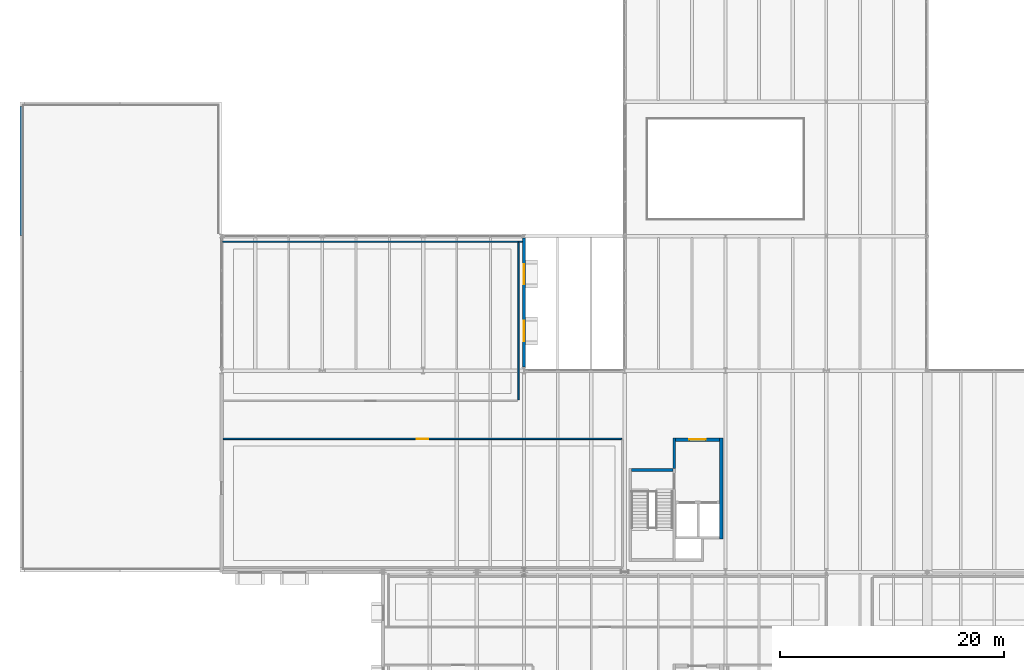
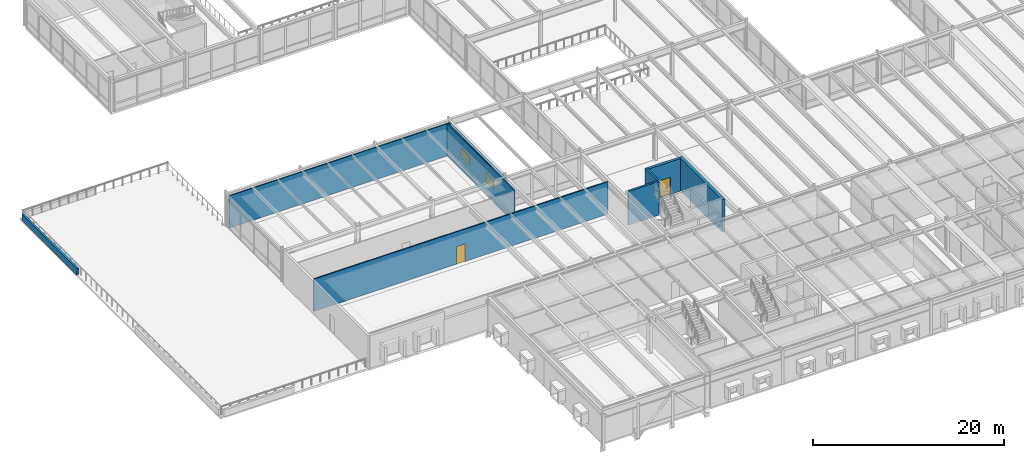
# One storey, part 109 of 127: 9 walls, 2 doors, 2 windows, 4 openings.
"""IFC4 building model written with IfcOpenShell, lengths in metres."""

from ifc_helpers import new_model, si_unit, direction, frame, frame_2d, origin, place, context, subcontext, project, spatial, rectangle, extrude, material, layer, layer_set, type_object, element, fill, save


model = new_model("IFC4")

# Units and contexts
model_context = context("Model", 3, precision=1e-05, world=origin(), true_north=direction((0.0, 1.0)))
body_context = subcontext(model_context, "Body", "Model", "MODEL_VIEW")
ifc_project = project(units=[si_unit("LENGTHUNIT", "METRE"), si_unit("AREAUNIT", "SQUARE_METRE"), si_unit("VOLUMEUNIT", "CUBIC_METRE"), si_unit("PLANEANGLEUNIT", "RADIAN"), si_unit("MASSUNIT", "GRAM", prefix="KILO")], contexts=[model_context])

# Site, building, storey
site_placement = place(None, origin())
site = spatial("IfcSite", under=ifc_project, at=site_placement, CompositionType="ELEMENT")
building_placement = place(site_placement, origin())
building = spatial("IfcBuilding", under=site, at=building_placement, Name="Montelvaro Courts of Justice", CompositionType="ELEMENT")
storey_placement = place(building_placement, frame((0.0, 0.0, 5.39990234375)))
storey = spatial("IfcBuildingStorey", under=building, at=storey_placement, Name="L01", CompositionType="ELEMENT", Elevation=5.39990234375)

# Wall, opening, door
ifc_material_1 = material(Name="Gypsum board on metal stud")
ifc_layer_1 = layer(ifc_material_1, 0.14990234375)
ifc_layer_set_1 = layer_set([ifc_layer_1], Name="Gypsum board on metal stud")
wall_type_1 = type_object("IfcWallType", Name="ChambersPartition_150", PredefinedType="PARTITIONING", material=ifc_layer_set_1)
wall_1_placement = place(storey_placement, frame((18.14501953125, 35.89990234375, 0.0), z_axis=(0.0, 0.0, 1.0), x_axis=(1.0, 0.0, 0.0)))
wall_1 = element("IfcWall", 1, at=wall_1_placement, inside=storey, type_object=wall_type_1, Name="Interior Partition IW-04 (L01)", PredefinedType="PARTITIONING", context=body_context, shape_type="SweptSolid", body=[
    extrude(rectangle(XDim=35.574951171875, YDim=0.14990234375, at=frame_2d((17.78759765625, 0.0))), origin(), (0.0, 0.0, 1.0), 4.14013671875),
])
opening_1_placement = place(wall_1_placement, frame((17.262939453125, 0.0, 0.0)))
opening_1 = element("IfcOpeningElement", 2, at=opening_1_placement, cuts=wall_1, Name="Opening D-L01-064", PredefinedType="OPENING", context=body_context, shape_type="SweptSolid", body=[
    extrude(rectangle(XDim=1.050048828125, YDim=2.25, at=frame_2d((0.52490234375, 1.125))), frame((0.0, 0.08984375, 0.0), z_axis=(0.0, -1.0, 0.0), x_axis=(1.0, 0.0, 0.0)), (0.0, 0.0, 1.0), 0.1796875),
])
ifc_material_2 = material(Name="Acoustic oak timber veneer", Category="wood")
door_type_1 = type_object("IfcDoorType", Name="ChamberDoor_105x225", OperationType="NOTDEFINED", PredefinedType="DOOR", material=ifc_material_2)
door_1_placement = place(opening_1_placement, origin())
door_1 = element("IfcDoor", 3, at=door_1_placement, inside=storey, type_object=door_type_1, Name="Interior Door D-L01-064 (Law Library Treatise Stacks L01)", OperationType="SINGLE_SWING_LEFT", OverallHeight=2.25, OverallWidth=1.050048828125, PredefinedType="DOOR", context=body_context, shape_type="SweptSolid", body=[
    extrude(rectangle(XDim=1.050048828125, YDim=2.25, at=frame_2d((0.52490234375, 1.125))), frame((0.0, 0.02490234375, 0.0), z_axis=(0.0, -1.0, 0.0), x_axis=(1.0, 0.0, 0.0)), (0.0, 0.0, 1.0), 0.050048828125),
])
fill(opening_1, door_1)

ifc_material_3 = material(Name="Concrete C40/50", Category="concrete")
ifc_layer_2 = layer(ifc_material_3, 0.320068359375)
ifc_layer_set_2 = layer_set([ifc_layer_2], Name="Concrete C40/50")
wall_type_2 = type_object("IfcWallType", Name="CoreWall_320", PredefinedType="SHEAR", material=ifc_layer_set_2)
wall_2_placement = place(storey_placement, frame((58.5400390625, 35.840087890625, 0.0), z_axis=(0.0, 0.0, 1.0), x_axis=(1.0, 0.0, 0.0)))
wall_2 = element("IfcWall", 4, at=wall_2_placement, inside=storey, type_object=wall_type_2, Name="Core Shear Wall CW-02 K5-N (L01)", PredefinedType="SHEAR", context=body_context, shape_type="SweptSolid", body=[
    extrude(rectangle(XDim=3.89990234375, YDim=0.320068359375, at=frame_2d((1.949951171875, 0.0))), origin(), (0.0, 0.0, 1.0), 4.16015625),
])
opening_2_placement = place(wall_2_placement, frame((1.22509765625, 0.0, 0.0)))
opening_2 = element("IfcOpeningElement", 5, at=opening_2_placement, cuts=wall_2, Name="Opening DL-L01-K5", PredefinedType="OPENING", context=body_context, shape_type="SweptSolid", body=[
    extrude(rectangle(XDim=1.449951171875, YDim=2.199951171875, at=frame_2d((0.72509765625, 1.10009765625))), frame((0.0, 0.1748046875, 0.0), z_axis=(0.0, -1.0, 0.0), x_axis=(1.0, 0.0, 0.0)), (0.0, 0.0, 1.0), 0.349853515625),
])
ifc_material_4 = material(Name="Galvanised steel S355 security door", Category="steel")
door_type_2 = type_object("IfcDoorType", Name="LobbyFireDoor_145x220", OperationType="DOUBLE_DOOR_SINGLE_SWING", PredefinedType="DOOR", material=ifc_material_4)
door_2_placement = place(opening_2_placement, origin())
door_2 = element("IfcDoor", 6, at=door_2_placement, inside=storey, type_object=door_type_2, Name="Core Lobby Fire Door DL-L01-K5", OperationType="DOUBLE_DOOR_SINGLE_SWING", OverallHeight=2.199951171875, OverallWidth=1.449951171875, PredefinedType="DOOR", context=body_context, shape_type="SweptSolid", body=[
    extrude(rectangle(XDim=1.449951171875, YDim=2.199951171875, at=frame_2d((0.72509765625, 1.10009765625))), frame((0.0, 0.02490234375, 0.0), z_axis=(0.0, -1.0, 0.0), x_axis=(1.0, 0.0, 0.0)), (0.0, 0.0, 1.0), 0.050048828125),
])
fill(opening_2, door_2)

# Wall
wall_3_placement = place(storey_placement, frame((62.60009765625, 26.9599609375, 0.0), z_axis=(0.0, 0.0, 1.0), x_axis=(0.0, 1.0, 0.0)))
element("IfcWall", 7, at=wall_3_placement, inside=storey, type_object=wall_type_2, Name="Core Shear Wall CW-02 K5-E (L01)", PredefinedType="SHEAR", context=body_context, shape_type="SweptSolid", body=[
    extrude(rectangle(XDim=9.0400390625, YDim=0.320068359375, at=frame_2d((4.52001953125, 0.0))), origin(), (0.0, 0.0, 1.0), 4.16015625),
])

# Wall, openings, windows
ifc_material_5 = material(Name="White mineral precast concrete C45/55", Category="concrete")
ifc_layer_3 = layer(ifc_material_5, 0.300048828125)
ifc_layer_set_3 = layer_set([ifc_layer_3], Name="White mineral precast concrete C45/55")
wall_type_3 = type_object("IfcWallType", Name="ExtWall_GFRC_300", PredefinedType="SOLIDWALL", material=ifc_layer_set_3)
wall_4_placement = place(storey_placement, frame((45.0, 42.298095703125, 0.0), z_axis=(0.0, 0.0, 1.0), x_axis=(0.0, 1.0, 0.0)))
wall_4 = element("IfcWall", 8, at=wall_4_placement, inside=storey, type_object=wall_type_3, Name="Exterior Facade Wall EW-02 (L01)", PredefinedType="SOLIDWALL", context=body_context, shape_type="SweptSolid", body=[
    extrude(rectangle(XDim=11.5439453125, YDim=0.300048828125, at=frame_2d((5.77197265625, 0.0))), origin(), (0.0, 0.0, 1.0), 3.76513671875),
])
opening_3_placement = place(wall_4_placement, frame((2.33203125, 0.0, 0.85009765625)))
opening_3 = element("IfcOpeningElement", 9, at=opening_3_placement, cuts=wall_4, Name="Opening WE-25", PredefinedType="OPENING", context=body_context, shape_type="SweptSolid", body=[
    extrude(rectangle(XDim=1.800048828125, YDim=1.199951171875, at=frame_2d((0.89990234375, 0.60009765625))), frame((0.0, 0.1650390625, 0.0), z_axis=(0.0, -1.0, 0.0), x_axis=(1.0, 0.0, 0.0)), (0.0, 0.0, 1.0), 0.329833984375),
])
opening_4_placement = place(wall_4_placement, frame((7.412109375, 0.0, 0.85009765625)))
opening_4 = element("IfcOpeningElement", 10, at=opening_4_placement, cuts=wall_4, Name="Opening WE-25", PredefinedType="OPENING", context=body_context, shape_type="SweptSolid", body=[
    extrude(rectangle(XDim=1.800048828125, YDim=1.199951171875, at=frame_2d((0.89990234375, 0.60009765625))), frame((0.0, 0.1650390625, 0.0), z_axis=(0.0, -1.0, 0.0), x_axis=(1.0, 0.0, 0.0)), (0.0, 0.0, 1.0), 0.329833984375),
])
ifc_material_6 = material(Name="Low-E solar control double glazing", Category="glass")
window_type = type_object("IfcWindowType", Name="Win_Rect_180x120", PartitioningType="SINGLE_PANEL", PredefinedType="WINDOW", material=ifc_material_6)
window_1_placement = place(opening_3_placement, origin())
window_1 = element("IfcWindow", 11, at=window_1_placement, inside=storey, type_object=window_type, Name="Window W-L01-048", OverallHeight=1.199951171875, OverallWidth=1.800048828125, PartitioningType="SINGLE_PANEL", PredefinedType="WINDOW", context=body_context, shape_type="SweptSolid", body=[
    extrude(rectangle(XDim=1.800048828125, YDim=1.199951171875, at=frame_2d((0.89990234375, 0.60009765625))), frame((0.0, 0.030029296875, 0.0), z_axis=(0.0, -1.0, 0.0), x_axis=(1.0, 0.0, 0.0)), (0.0, 0.0, 1.0), 0.06005859375),
])
fill(opening_3, window_1)
window_2_placement = place(opening_4_placement, origin())
window_2 = element("IfcWindow", 12, at=window_2_placement, inside=storey, type_object=window_type, Name="Window W-L01-049", OverallHeight=1.199951171875, OverallWidth=1.800048828125, PartitioningType="SINGLE_PANEL", PredefinedType="WINDOW", context=body_context, shape_type="SweptSolid", body=[
    extrude(rectangle(XDim=1.800048828125, YDim=1.199951171875, at=frame_2d((0.89990234375, 0.60009765625))), frame((0.0, 0.030029296875, 0.0), z_axis=(0.0, -1.0, 0.0), x_axis=(1.0, 0.0, 0.0)), (0.0, 0.0, 1.0), 0.06005859375),
])
fill(opening_4, window_2)

# Walls
ifc_layer_4 = layer(ifc_material_1, 0.1201171875)
ifc_layer_set_4 = layer_set([ifc_layer_4], Name="Gypsum board on metal stud")
wall_type_4 = type_object("IfcWallType", Name="OfficePartition_120", PredefinedType="PARTITIONING", material=ifc_layer_set_4)
wall_5_placement = place(storey_placement, frame((18.074951171875, 53.5, 0.0), z_axis=(0.0, 0.0, 1.0), x_axis=(1.0, 0.0, 0.0)))
element("IfcWall", 13, at=wall_5_placement, inside=storey, type_object=wall_type_4, Name="Interior Partition IW-05 (L01)", PredefinedType="PARTITIONING", context=body_context, shape_type="SweptSolid", body=[
    extrude(rectangle(XDim=26.780029296875, YDim=0.1201171875, at=frame_2d((13.39013671875, 0.0))), origin(), (0.0, 0.0, 1.0), 4.14013671875),
])
wall_6_placement = place(storey_placement, frame((44.5, 53.445068359375, 0.0), z_axis=(0.0, 0.0, 1.0), x_axis=(0.0, -1.0, 0.0)))
element("IfcWall", 14, at=wall_6_placement, inside=storey, type_object=wall_type_4, Name="Interior Partition IW-05 (L01)", PredefinedType="PARTITIONING", context=body_context, shape_type="SweptSolid", body=[
    extrude(rectangle(XDim=14.065185546875, YDim=0.1201171875, at=frame_2d((7.03271484375, 0.0))), origin(), (0.0, 0.0, 1.0), 4.14013671875),
])
ifc_layer_5 = layer(ifc_material_5, 0.239990234375)
ifc_layer_set_5 = layer_set([ifc_layer_5], Name="White mineral precast concrete C45/55")
wall_type_5 = type_object("IfcWallType", Name="ParapetWall_240", PredefinedType="PARAPET", material=ifc_layer_set_5)
wall_7_placement = place(storey_placement, frame((0.1201171875, 54.06005859375, -0.099853515625), z_axis=(0.0, 0.0, 1.0), x_axis=(0.0, 1.0, 0.0)))
element("IfcWall", 15, at=wall_7_placement, inside=storey, type_object=wall_type_5, Name="Roof Parapet PW-01 L01-073", PredefinedType="PARAPET", context=body_context, shape_type="SweptSolid", body=[
    extrude(rectangle(XDim=11.52001953125, YDim=0.239990234375, at=frame_2d((5.760009765625, 0.0))), origin(), (0.0, 0.0, 1.0), 0.849853515625),
])
ifc_material_7 = material(Name="Concrete C35/45", Category="concrete")
ifc_layer_6 = layer(ifc_material_7, 0.239990234375)
ifc_layer_set_6 = layer_set([ifc_layer_6], Name="Concrete C35/45")
wall_type_6 = type_object("IfcWallType", Name="ShaftWall_240", PredefinedType="SHEAR", material=ifc_layer_set_6)
wall_8_placement = place(storey_placement, frame((54.60009765625, 33.1201171875, 0.0), z_axis=(0.0, 0.0, 1.0), x_axis=(1.0, 0.0, 0.0)))
element("IfcWall", 16, at=wall_8_placement, inside=storey, type_object=wall_type_6, Name="Protected Stair Structural Wall ST-W1-N (L01)", PredefinedType="SHEAR", context=body_context, shape_type="SweptSolid", body=[
    extrude(rectangle(XDim=3.699951171875, YDim=0.239990234375, at=frame_2d((1.85009765625, 0.0))), origin(), (0.0, 0.0, 1.0), 4.31005859375),
])
wall_9_placement = place(storey_placement, frame((58.419921875, 33.239990234375, 0.0), z_axis=(0.0, 0.0, 1.0), x_axis=(0.0, 1.0, 0.0)))
element("IfcWall", 17, at=wall_9_placement, inside=storey, type_object=wall_type_6, Name="Core Lobby Structural Wall K5-W (L01)", PredefinedType="SHEAR", context=body_context, shape_type="SweptSolid", body=[
    extrude(rectangle(XDim=2.760009765625, YDim=0.239990234375, at=frame_2d((1.3798828125, 0.0))), origin(), (0.0, 0.0, 1.0), 4.16015625),
])

save(model, "model.ifc")
